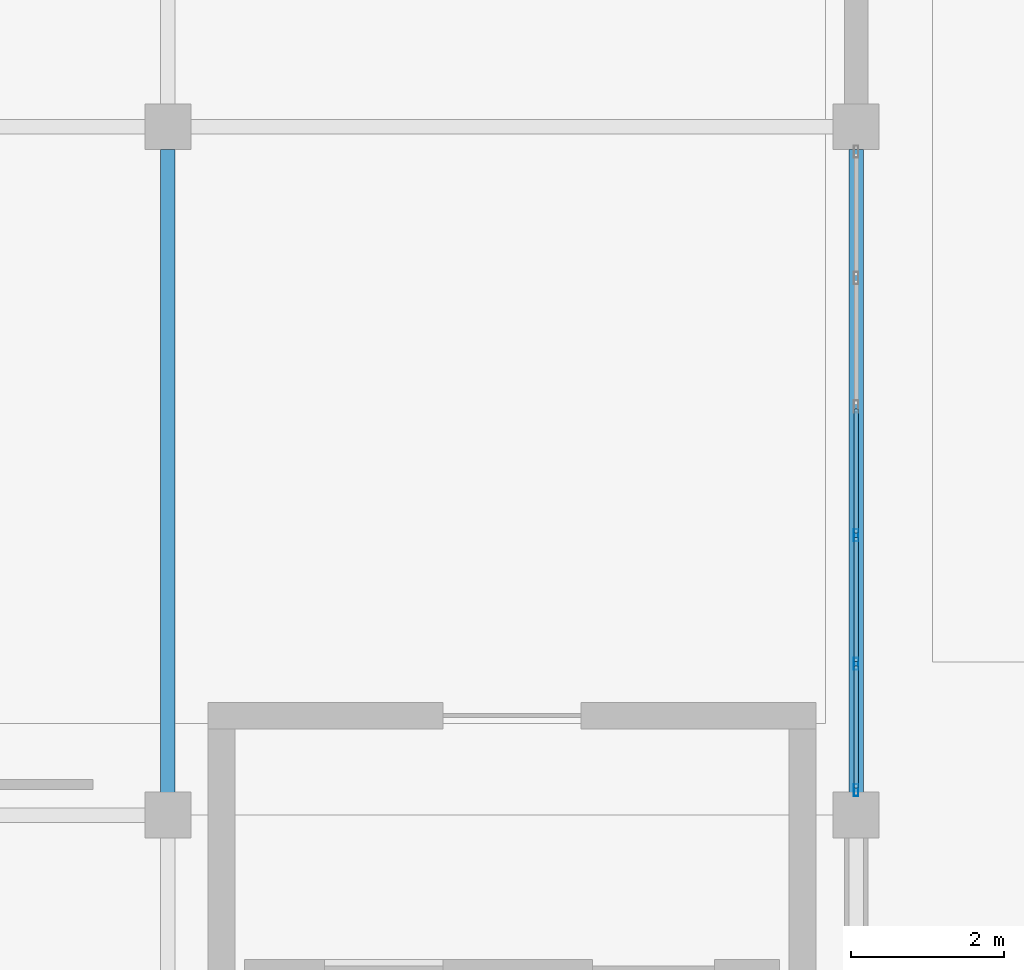
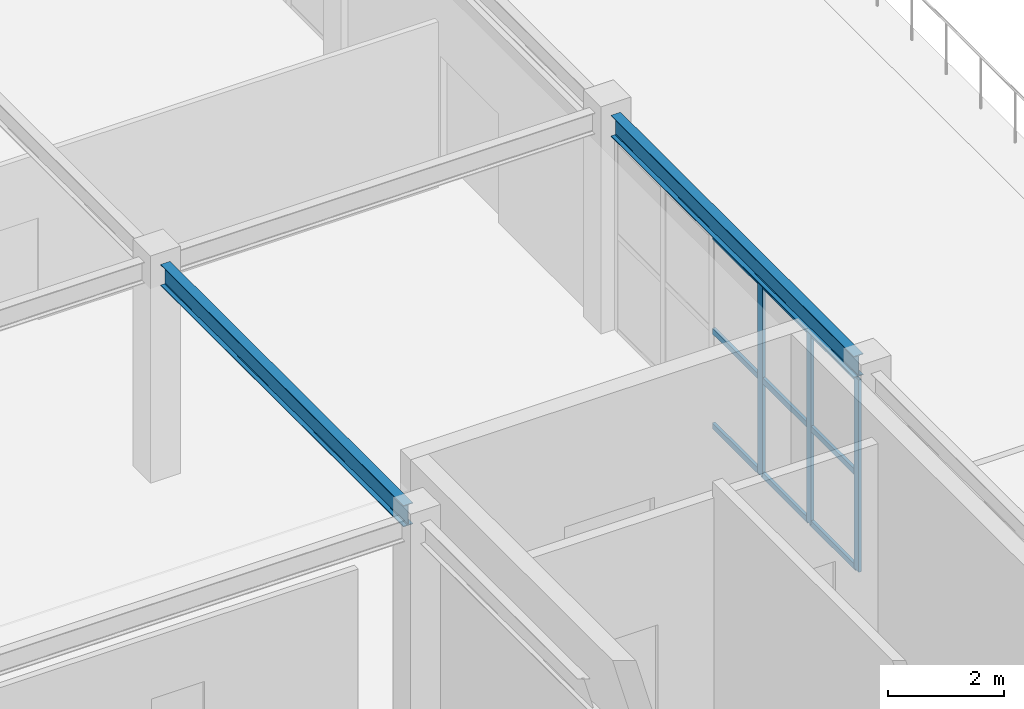
# One storey, part 87 of 167: 12 members, 2 beams, 1 element without a shape of its own.
"""IFC4 building model written with IfcOpenShell, lengths in metres."""

from ifc_helpers import new_model, si_unit, direction, frame, origin, origin_2d, place, context, subcontext, project, spatial, hollow_rectangle, i_section, extrude, material, layer, layer_set, material_profile, profile_set, type_object, element, aggregate, save


model = new_model("IFC4")

# Units and contexts
model_context = context("Model", 3, precision=1e-05, world=origin(), true_north=direction((0.0, 1.0)))
body_context = subcontext(model_context, "Body", "Model", "MODEL_VIEW")
ifc_project = project(units=[si_unit("LENGTHUNIT", "METRE"), si_unit("AREAUNIT", "SQUARE_METRE"), si_unit("VOLUMEUNIT", "CUBIC_METRE"), si_unit("PLANEANGLEUNIT", "RADIAN"), si_unit("MASSUNIT", "GRAM", prefix="KILO")], contexts=[model_context])

# Site, building, storey
site_placement = place(None, origin())
site = spatial("IfcSite", under=ifc_project, at=site_placement, CompositionType="ELEMENT")
building_placement = place(site_placement, origin())
building = spatial("IfcBuilding", under=site, at=building_placement, Name="Dornveld Trade and Exhibition Forum", CompositionType="ELEMENT")
storey_placement = place(building_placement, frame((0.0, 0.0, 16.800048828125)))
storey = spatial("IfcBuildingStorey", under=building, at=storey_placement, Name="L03", CompositionType="ELEMENT", Elevation=16.800048828125)

# Beams
ifc_material_1 = material(Name="Steel S355J2", Category="steel")
ifc_material_profile_1 = material_profile(ifc_material_1, i_section(OverallWidth=0.18994140625, OverallDepth=0.449951171875, WebThickness=0.009521484375, FlangeThickness=0.0146484375, FilletRadius=0.02099609375, at=origin_2d()), Name="IPE 450")
ifc_profile_set_1 = profile_set([ifc_material_profile_1], Name="Steel S355J2")
beam_type = type_object("IfcBeamType", Name="BM-SEC-450", PredefinedType="BEAM", material=ifc_profile_set_1)
for number, where, z_axis, x_axis, name in (
    (1, (207.0, 27.2958984375, 4.324951171875), (0.0, 1.0, 0.0), (-1.0, 0.0, 0.0), "L03 Y-girder 1626"),
    (2, (216.0, 27.2958984375, 4.324951171875), (0.0, 1.0, 0.0), (-1.0, 0.0, 0.0), "L03 Y-girder 1632"),
):
    element("IfcBeam", number, at=place(storey_placement, frame(where, z_axis=z_axis, x_axis=x_axis)), inside=storey, type_object=beam_type, Name=name, PredefinedType="BEAM", context=body_context, shape_type="SweptSolid", body=[
        extrude(i_section(OverallWidth=0.18994140625, OverallDepth=0.449951171875, WebThickness=0.009521484375, FlangeThickness=0.0146484375, FilletRadius=0.02099609375, at=origin_2d()), origin(), (0.0, 0.0, 1.0), 8.408203125),
    ])

# Curtain wall, members
ifc_material_2 = material(Name="Dark-bronze anodised aluminium and low-E glass", Category="aluminium")
ifc_layer = layer(ifc_material_2, 0.172119140625)
ifc_layer_set = layer_set([ifc_layer], Name="Dark-bronze anodised aluminium and low-E glass")
curtain_wall_type = type_object("IfcCurtainWallType", Name="CW-SYS-10", PredefinedType="USERDEFINED", material=ifc_layer_set)
curtain_wall_placement = place(storey_placement, origin())
curtain_wall = element("IfcCurtainWall", 3, at=curtain_wall_placement, inside=storey, type_object=curtain_wall_type, Name="L03 unitised curtain wall 82", ObjectType="UNITISED_CURTAIN_WALL", PredefinedType="USERDEFINED")
ifc_material_3 = material(Name="Dark-bronze anodised aluminium", Category="aluminium")
ifc_material_profile_2 = material_profile(ifc_material_3, hollow_rectangle(XDim=0.06005859375, YDim=0.159912109375, WallThickness=0.00390625, at=origin_2d()), Name="RHS 160x60x4")
ifc_profile_set_2 = profile_set([ifc_material_profile_2], Name="Dark-bronze anodised aluminium")
member_type_1 = type_object("IfcMemberType", Name="CW-MUL-160", PredefinedType="MULLION", material=ifc_profile_set_2)
member_1_placement = place(storey_placement, frame((216.0, 27.325927734375, -0.004150390625), z_axis=(0.0, 0.0, 1.0), x_axis=(-1.0, 0.0, 0.0)))
member_1 = element("IfcMember", 4, at=member_1_placement, type_object=member_type_1, Name="CW-10 mullion 1", PredefinedType="MULLION", context=body_context, shape_type="SweptSolid", body=[
    extrude(hollow_rectangle(XDim=0.06005859375, YDim=0.159912109375, WallThickness=0.00390625, at=origin_2d()), origin(), (0.0, 0.0, 1.0), 4.064208984375),
])
member_2_placement = place(storey_placement, frame((216.0, 28.9775390625, -0.004150390625), z_axis=(0.0, 0.0, 1.0), x_axis=(-1.0, 0.0, 0.0)))
member_2 = element("IfcMember", 5, at=member_2_placement, type_object=member_type_1, Name="CW-10 mullion 2", PredefinedType="MULLION", context=body_context, shape_type="SweptSolid", body=[
    extrude(hollow_rectangle(XDim=0.06005859375, YDim=0.159912109375, WallThickness=0.00390625, at=origin_2d()), origin(), (0.0, 0.0, 1.0), 4.064208984375),
])
member_3_placement = place(storey_placement, frame((216.0, 30.6591796875, -0.004150390625), z_axis=(0.0, 0.0, 1.0), x_axis=(-1.0, 0.0, 0.0)))
member_3 = element("IfcMember", 6, at=member_3_placement, type_object=member_type_1, Name="CW-10 mullion 3", PredefinedType="MULLION", context=body_context, shape_type="SweptSolid", body=[
    extrude(hollow_rectangle(XDim=0.06005859375, YDim=0.159912109375, WallThickness=0.00390625, at=origin_2d()), origin(), (0.0, 0.0, 1.0), 4.064208984375),
])
ifc_material_4 = material(Name="Dark-bronze anodised aluminium", Category="aluminium")
ifc_material_profile_3 = material_profile(ifc_material_4, hollow_rectangle(XDim=0.06005859375, YDim=0.1201171875, WallThickness=0.00390625, at=origin_2d()), Name="RHS 120x60x4")
ifc_profile_set_3 = profile_set([ifc_material_profile_3], Name="Dark-bronze anodised aluminium")
member_type_2 = type_object("IfcMemberType", Name="CW-TRN-120", PredefinedType="USERDEFINED", material=ifc_profile_set_3)
member_4_placement = place(storey_placement, frame((216.0, 27.35595703125, 0.02587890625), z_axis=(0.0, 1.0, 0.0), x_axis=(-1.0, 0.0, 0.0)))
member_4 = element("IfcMember", 7, at=member_4_placement, type_object=member_type_2, Name="CW-10 transom 1.1", ObjectType="TRANSOM", PredefinedType="USERDEFINED", context=body_context, shape_type="SweptSolid", body=[
    extrude(hollow_rectangle(XDim=0.06005859375, YDim=0.1201171875, WallThickness=0.00390625, at=origin_2d()), origin(), (0.0, 0.0, 1.0), 1.591552734375),
])
member_5_placement = place(storey_placement, frame((216.0, 27.35595703125, 2.02783203125), z_axis=(0.0, 1.0, 0.0), x_axis=(-1.0, 0.0, 0.0)))
member_5 = element("IfcMember", 8, at=member_5_placement, type_object=member_type_2, Name="CW-10 transom 1.2", ObjectType="TRANSOM", PredefinedType="USERDEFINED", context=body_context, shape_type="SweptSolid", body=[
    extrude(hollow_rectangle(XDim=0.06005859375, YDim=0.1201171875, WallThickness=0.00390625, at=origin_2d()), origin(), (0.0, 0.0, 1.0), 1.591552734375),
])
member_6_placement = place(storey_placement, frame((216.0, 27.35595703125, 4.030029296875), z_axis=(0.0, 1.0, 0.0), x_axis=(-1.0, 0.0, 0.0)))
member_6 = element("IfcMember", 9, at=member_6_placement, type_object=member_type_2, Name="CW-10 transom 1.3", ObjectType="TRANSOM", PredefinedType="USERDEFINED", context=body_context, shape_type="SweptSolid", body=[
    extrude(hollow_rectangle(XDim=0.06005859375, YDim=0.1201171875, WallThickness=0.00390625, at=origin_2d()), origin(), (0.0, 0.0, 1.0), 1.591552734375),
])
member_7_placement = place(storey_placement, frame((216.0, 29.007568359375, 0.02587890625), z_axis=(0.0, 1.0, 0.0), x_axis=(-1.0, 0.0, 0.0)))
member_7 = element("IfcMember", 10, at=member_7_placement, type_object=member_type_2, Name="CW-10 transom 2.1", ObjectType="TRANSOM", PredefinedType="USERDEFINED", context=body_context, shape_type="SweptSolid", body=[
    extrude(hollow_rectangle(XDim=0.06005859375, YDim=0.1201171875, WallThickness=0.00390625, at=origin_2d()), origin(), (0.0, 0.0, 1.0), 1.62158203125),
])
member_8_placement = place(storey_placement, frame((216.0, 29.007568359375, 2.02783203125), z_axis=(0.0, 1.0, 0.0), x_axis=(-1.0, 0.0, 0.0)))
member_8 = element("IfcMember", 11, at=member_8_placement, type_object=member_type_2, Name="CW-10 transom 2.2", ObjectType="TRANSOM", PredefinedType="USERDEFINED", context=body_context, shape_type="SweptSolid", body=[
    extrude(hollow_rectangle(XDim=0.06005859375, YDim=0.1201171875, WallThickness=0.00390625, at=origin_2d()), origin(), (0.0, 0.0, 1.0), 1.62158203125),
])
member_9_placement = place(storey_placement, frame((216.0, 29.007568359375, 4.030029296875), z_axis=(0.0, 1.0, 0.0), x_axis=(-1.0, 0.0, 0.0)))
member_9 = element("IfcMember", 12, at=member_9_placement, type_object=member_type_2, Name="CW-10 transom 2.3", ObjectType="TRANSOM", PredefinedType="USERDEFINED", context=body_context, shape_type="SweptSolid", body=[
    extrude(hollow_rectangle(XDim=0.06005859375, YDim=0.1201171875, WallThickness=0.00390625, at=origin_2d()), origin(), (0.0, 0.0, 1.0), 1.62158203125),
])
member_10_placement = place(storey_placement, frame((216.0, 30.689208984375, 0.02587890625), z_axis=(0.0, 1.0, 0.0), x_axis=(-1.0, 0.0, 0.0)))
member_10 = element("IfcMember", 13, at=member_10_placement, type_object=member_type_2, Name="CW-10 transom 3.1", ObjectType="TRANSOM", PredefinedType="USERDEFINED", context=body_context, shape_type="SweptSolid", body=[
    extrude(hollow_rectangle(XDim=0.06005859375, YDim=0.1201171875, WallThickness=0.00390625, at=origin_2d()), origin(), (0.0, 0.0, 1.0), 1.62158203125),
])
member_11_placement = place(storey_placement, frame((216.0, 30.689208984375, 2.02783203125), z_axis=(0.0, 1.0, 0.0), x_axis=(-1.0, 0.0, 0.0)))
member_11 = element("IfcMember", 14, at=member_11_placement, type_object=member_type_2, Name="CW-10 transom 3.2", ObjectType="TRANSOM", PredefinedType="USERDEFINED", context=body_context, shape_type="SweptSolid", body=[
    extrude(hollow_rectangle(XDim=0.06005859375, YDim=0.1201171875, WallThickness=0.00390625, at=origin_2d()), origin(), (0.0, 0.0, 1.0), 1.62158203125),
])
member_12_placement = place(storey_placement, frame((216.0, 30.689208984375, 4.030029296875), z_axis=(0.0, 1.0, 0.0), x_axis=(-1.0, 0.0, 0.0)))
member_12 = element("IfcMember", 15, at=member_12_placement, type_object=member_type_2, Name="CW-10 transom 3.3", ObjectType="TRANSOM", PredefinedType="USERDEFINED", context=body_context, shape_type="SweptSolid", body=[
    extrude(hollow_rectangle(XDim=0.06005859375, YDim=0.1201171875, WallThickness=0.00390625, at=origin_2d()), origin(), (0.0, 0.0, 1.0), 1.62158203125),
])
aggregate(curtain_wall, [member_1, member_2, member_3, member_4, member_5, member_6, member_7, member_8, member_9, member_10, member_11, member_12])

save(model, "model.ifc")
